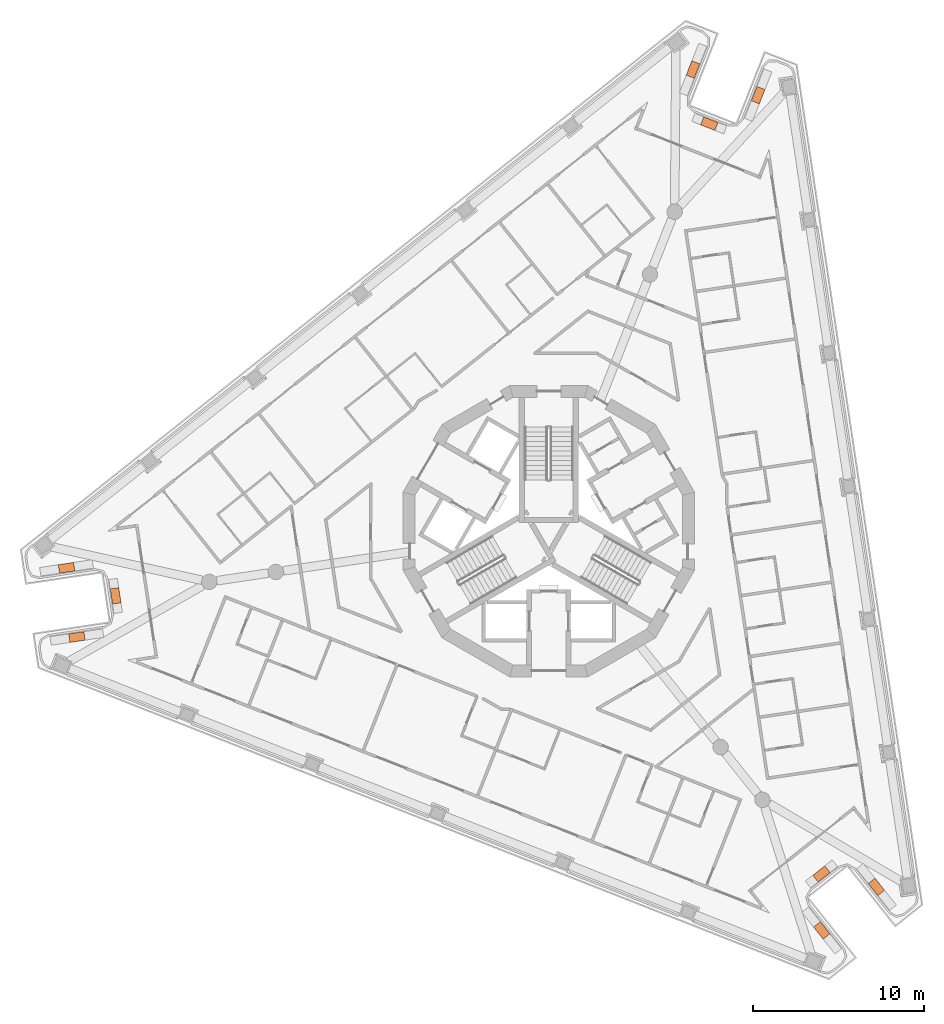
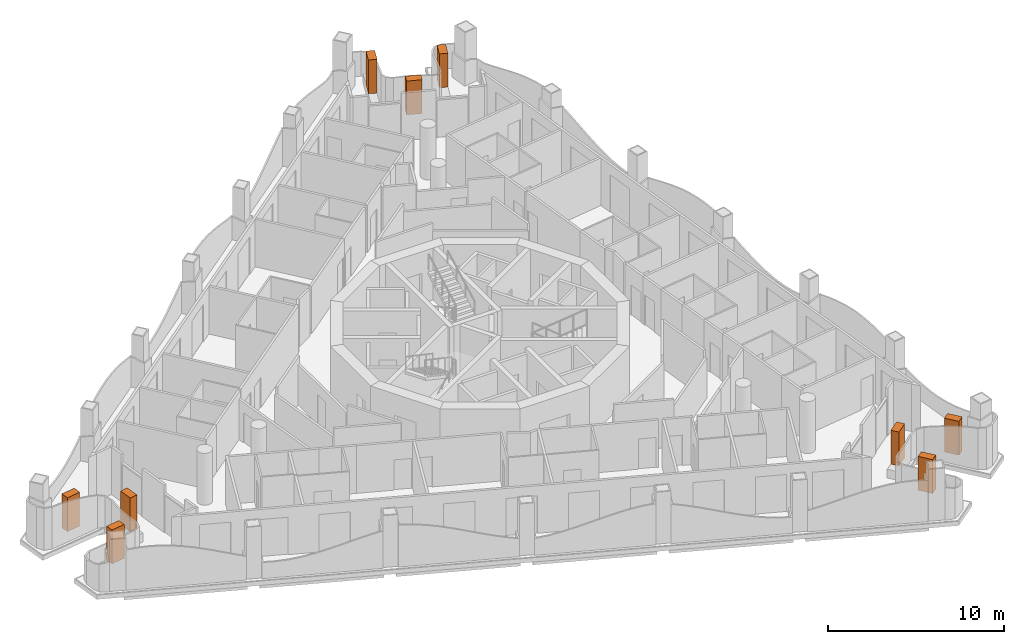
# One storey, part 16 of 16: 9 geographic elements.
"""IFC4 building model written with IfcOpenShell, lengths in metres."""

from ifc_helpers import new_model, si_unit, direction, frame, origin, origin_2d, place, context, subcontext, project, spatial, rectangle, extrude, element, save


model = new_model("IFC4")

# Units and contexts
model_context = context("Model", 3, precision=1e-05, world=origin(), true_north=direction((0.0, 1.0)))
body_context = subcontext(model_context, "Body", "Model", "MODEL_VIEW")
ifc_project = project(units=[si_unit("LENGTHUNIT", "METRE"), si_unit("AREAUNIT", "SQUARE_METRE"), si_unit("VOLUMEUNIT", "CUBIC_METRE"), si_unit("PLANEANGLEUNIT", "RADIAN"), si_unit("MASSUNIT", "GRAM", prefix="KILO")], contexts=[model_context])

# Site, building, storey
site_placement = place(None, origin())
site = spatial("IfcSite", under=ifc_project, at=site_placement, CompositionType="ELEMENT")
building_placement = place(site_placement, origin())
building = spatial("IfcBuilding", under=site, at=building_placement, Name="Trine Commons Tower", CompositionType="ELEMENT")
storey_placement = place(building_placement, frame((0.0, 0.0, 219.60009765625)))
storey = spatial("IfcBuildingStorey", under=building, at=storey_placement, Name="L57", CompositionType="ELEMENT", Elevation=219.60009765625)

# Geographic elements
for number, where, z_axis, x_axis, name in (
    (1, (52.4794921875, 56.324462890625, 0.599853515625), (0.0, 0.0, 1.0), (0.989018700917, 0.147790423361, 0.0), "Tree 1.1"),
    (2, (54.73974609375, 58.724853515625, 0.599853515625), (0.0, 0.0, 1.0), (-0.147812863445, 0.989015347404, 0.0), "Tree 2.1"),
    (3, (51.87646484375, 60.359619140625, 0.599853515625), (0.0, 0.0, 1.0), (-0.989014831433, -0.147816315759, 0.0), "Tree 3.1"),
    (4, (88.412109375, 89.421142578125, 0.599853515625), (0.0, 0.0, 1.0), (-0.366494731175, -0.930420126621, 0.0), "Tree 4.1"),
    (5, (89.360595703125, 86.263671875, 0.599853515625), (0.0, 0.0, 1.0), (0.930416928315, -0.366502850609, 0.0), "Tree 5.1"),
    (6, (92.2080078125, 87.92578125, 0.599853515625), (0.0, 0.0, 1.0), (0.366520713264, 0.930409891794, 0.0), "Tree 6.1"),
    (7, (99.1083984375, 41.75439453125, 0.599853515625), (0.0, 0.0, 1.0), (-0.622516002546, 0.782607070358, 0.0), "Tree 7.1"),
    (8, (95.899658203125, 42.511474609375, 0.599853515625), (0.0, 0.0, 1.0), (-0.782586426516, -0.622541954437, 0.0), "Tree 8.1"),
    (9, (95.915283203125, 39.214599609375, 0.599853515625), (0.0, 0.0, 1.0), (0.622516002546, -0.782607070358, 0.0), "Tree 9.1"),
):
    element("IfcGeographicElement", number, at=place(storey_placement, frame(where, z_axis=z_axis, x_axis=x_axis)), inside=storey, Name=name, ObjectType="TREE Tabebuia rosea", PredefinedType="USERDEFINED", context=body_context, shape_type="SweptSolid", body=[
        extrude(rectangle(XDim=0.89990234375, YDim=0.5, at=origin_2d()), origin(), (0.0, 0.0, 1.0), 2.35009765625),
    ])

save(model, "model.ifc")
